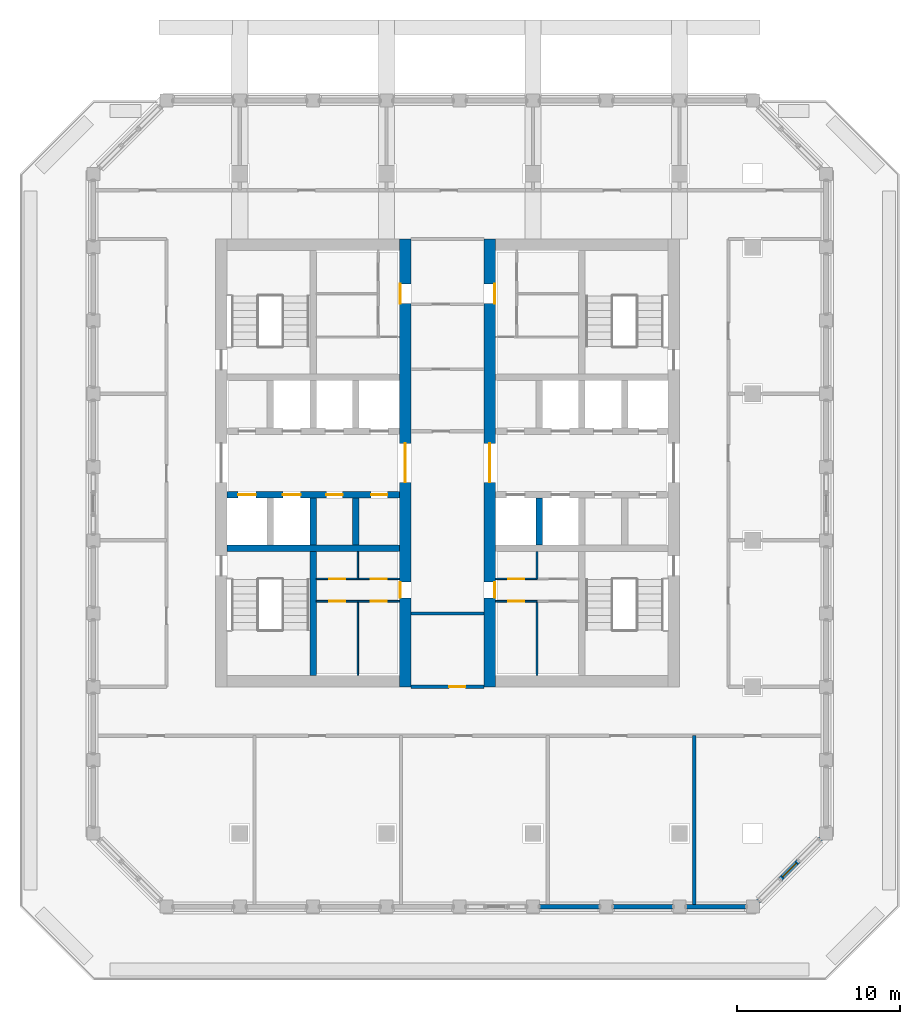
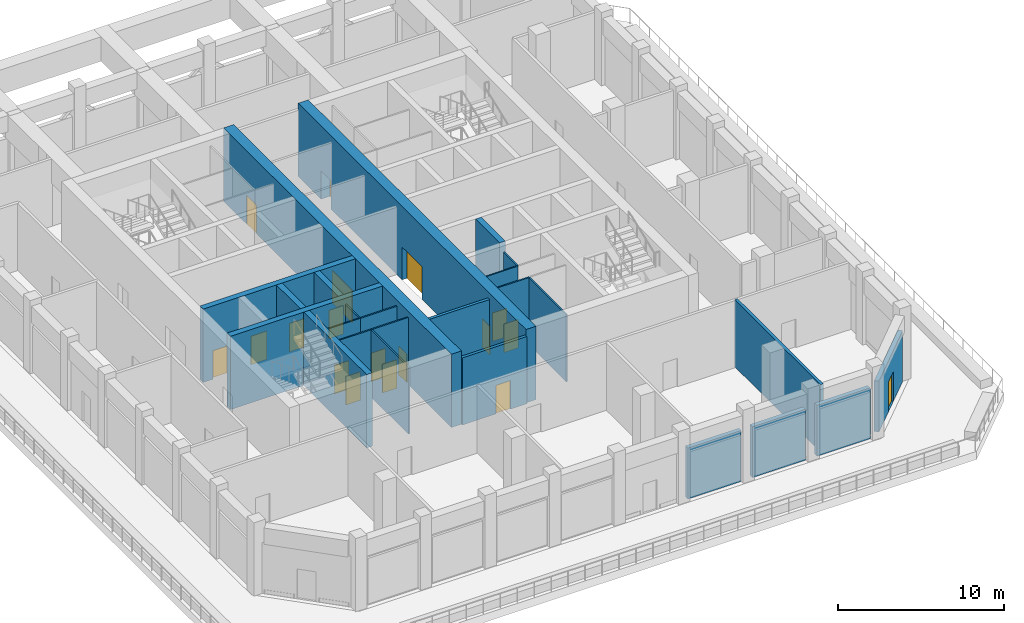
# One storey, part 4 of 19: 25 walls, 18 doors, 18 openings.
"""IFC4 building model written with IfcOpenShell, lengths in metres."""

from ifc_helpers import new_model, si_unit, direction, frame, frame_2d, origin, place, context, subcontext, project, spatial, rectangle, extrude, material, layer, layer_set, type_object, element, fill, save


model = new_model("IFC4")

# Units and contexts
model_context = context("Model", 3, precision=1e-05, world=origin(), true_north=direction((0.0, 1.0)))
body_context = subcontext(model_context, "Body", "Model", "MODEL_VIEW")
ifc_project = project(units=[si_unit("LENGTHUNIT", "METRE"), si_unit("AREAUNIT", "SQUARE_METRE"), si_unit("VOLUMEUNIT", "CUBIC_METRE"), si_unit("PLANEANGLEUNIT", "RADIAN"), si_unit("MASSUNIT", "GRAM", prefix="KILO")], contexts=[model_context])

# Site, building, storey
site_placement = place(None, origin())
site = spatial("IfcSite", under=ifc_project, at=site_placement, CompositionType="ELEMENT")
building_placement = place(site_placement, origin())
building = spatial("IfcBuilding", under=site, at=building_placement, Name="Corbel Stack Research Tower", CompositionType="ELEMENT")
storey_placement = place(building_placement, frame((0.0, 0.0, 226.199951171875)))
storey = spatial("IfcBuildingStorey", under=building, at=storey_placement, Name="L51", CompositionType="ELEMENT", Elevation=226.199951171875)

# Wall
ifc_material_1 = material(Name="Concrete C60/75", Category="concrete")
ifc_layer_1 = layer(ifc_material_1, 0.39990234375)
ifc_layer_set_1 = layer_set([ifc_layer_1], Name="Concrete C60/75")
wall_type_1 = type_object("IfcWallType", Name="CW-400-60", PredefinedType="SHEAR", material=ifc_layer_set_1)
wall_1_placement = place(storey_placement, frame((-9.800048828125, -0.5, 0.0), z_axis=(0.0, 0.0, 1.0), x_axis=(1.0, 0.0, 0.0)))
element("IfcWall", 1, at=wall_1_placement, inside=storey, type_object=wall_type_1, Name="West core wall, south row back L51", PredefinedType="SHEAR", context=body_context, shape_type="SweptSolid", body=[
    extrude(rectangle(XDim=10.60009765625, YDim=0.39990234375, at=frame_2d((5.300048828125, 0.0))), origin(), (0.0, 0.0, 1.0), 5.400146484375),
])

# Wall, openings, doors
wall_2_placement = place(storey_placement, frame((-9.800048828125, 2.800048828125, 0.0), z_axis=(0.0, 0.0, 1.0), x_axis=(1.0, 0.0, 0.0)))
wall_2 = element("IfcWall", 2, at=wall_2_placement, inside=storey, type_object=wall_type_1, Name="West core wall, lobby south L51", PredefinedType="SHEAR", context=body_context, shape_type="SweptSolid", body=[
    extrude(rectangle(XDim=10.60009765625, YDim=0.39990234375, at=frame_2d((5.300048828125, 0.0))), origin(), (0.0, 0.0, 1.0), 5.400146484375),
])
opening_1_placement = place(wall_2_placement, frame((0.6875, 0.0, 0.0)))
opening_1 = element("IfcOpeningElement", 3, at=opening_1_placement, cuts=wall_2, Name="Opening LD-FS1", PredefinedType="OPENING", context=body_context, shape_type="SweptSolid", body=[
    extrude(rectangle(XDim=1.10009765625, YDim=2.10009765625, at=frame_2d((0.550048828125, 1.050048828125))), frame((0.0, 0.2099609375, 0.0), z_axis=(0.0, -1.0, 0.0), x_axis=(1.0, 0.0, 0.0)), (0.0, 0.0, 1.0), 0.419921875),
])
opening_2_placement = place(wall_2_placement, frame((3.4375, 0.0, 0.0)))
opening_2 = element("IfcOpeningElement", 4, at=opening_2_placement, cuts=wall_2, Name="Opening LD-GL1", PredefinedType="OPENING", context=body_context, shape_type="SweptSolid", body=[
    extrude(rectangle(XDim=1.10009765625, YDim=2.10009765625, at=frame_2d((0.550048828125, 1.050048828125))), frame((0.0, 0.2099609375, 0.0), z_axis=(0.0, -1.0, 0.0), x_axis=(1.0, 0.0, 0.0)), (0.0, 0.0, 1.0), 0.419921875),
])
opening_3_placement = place(wall_2_placement, frame((6.112548828125, 0.0, 0.0)))
opening_3 = element("IfcOpeningElement", 5, at=opening_3_placement, cuts=wall_2, Name="Opening CR-W54-S3", PredefinedType="OPENING", context=body_context, shape_type="SweptSolid", body=[
    extrude(rectangle(XDim=1.0, YDim=2.10009765625, at=frame_2d((0.5, 1.050048828125))), frame((0.0, 0.2099609375, 0.0), z_axis=(0.0, -1.0, 0.0), x_axis=(1.0, 0.0, 0.0)), (0.0, 0.0, 1.0), 0.419921875),
])
opening_4_placement = place(wall_2_placement, frame((8.862548828125, 0.0, 0.0)))
opening_4 = element("IfcOpeningElement", 6, at=opening_4_placement, cuts=wall_2, Name="Opening CR-W54-S4", PredefinedType="OPENING", context=body_context, shape_type="SweptSolid", body=[
    extrude(rectangle(XDim=1.0, YDim=2.10009765625, at=frame_2d((0.5, 1.050048828125))), frame((0.0, 0.2099609375, 0.0), z_axis=(0.0, -1.0, 0.0), x_axis=(1.0, 0.0, 0.0)), (0.0, 0.0, 1.0), 0.419921875),
])
ifc_material_2 = material(Name="Stainless steel landing door", Category="steel")
door_type_1 = type_object("IfcDoorType", Name="Lift landing door 1100 x 2100", OperationType="DOUBLE_DOOR_SLIDING", PredefinedType="DOOR", material=ifc_material_2)
door_1_placement = place(opening_1_placement, origin())
door_1 = element("IfcDoor", 7, at=door_1_placement, inside=storey, type_object=door_type_1, Name="Landing door FS1", OperationType="DOUBLE_DOOR_SLIDING", OverallHeight=2.10009765625, OverallWidth=1.10009765625, PredefinedType="DOOR", context=body_context, shape_type="SweptSolid", body=[
    extrude(rectangle(XDim=1.10009765625, YDim=2.10009765625, at=frame_2d((0.550048828125, 1.050048828125))), frame((0.0, 0.02490234375, 0.0), z_axis=(0.0, -1.0, 0.0), x_axis=(1.0, 0.0, 0.0)), (0.0, 0.0, 1.0), 0.050048828125),
])
fill(opening_1, door_1)
door_2_placement = place(opening_2_placement, origin())
door_2 = element("IfcDoor", 8, at=door_2_placement, inside=storey, type_object=door_type_1, Name="Landing door GL1", OperationType="DOUBLE_DOOR_SLIDING", OverallHeight=2.10009765625, OverallWidth=1.10009765625, PredefinedType="DOOR", context=body_context, shape_type="SweptSolid", body=[
    extrude(rectangle(XDim=1.10009765625, YDim=2.10009765625, at=frame_2d((0.550048828125, 1.050048828125))), frame((0.0, 0.02490234375, 0.0), z_axis=(0.0, -1.0, 0.0), x_axis=(1.0, 0.0, 0.0)), (0.0, 0.0, 1.0), 0.050048828125),
])
fill(opening_2, door_2)
ifc_material_3 = material(Name="Painted steel door", Category="steel")
door_type_2 = type_object("IfcDoorType", Name="Service door 1000 x 2100 FD60 left hand", OperationType="SINGLE_SWING_LEFT", PredefinedType="DOOR", material=ifc_material_3)
door_3_placement = place(opening_3_placement, origin())
door_3 = element("IfcDoor", 9, at=door_3_placement, inside=storey, type_object=door_type_2, Name="Telecom plant room door W core", OperationType="SINGLE_SWING_LEFT", OverallHeight=2.10009765625, OverallWidth=1.0, PredefinedType="DOOR", context=body_context, shape_type="SweptSolid", body=[
    extrude(rectangle(XDim=1.0, YDim=2.10009765625, at=frame_2d((0.5, 1.050048828125))), frame((0.0, 0.02490234375, 0.0), z_axis=(0.0, -1.0, 0.0), x_axis=(1.0, 0.0, 0.0)), (0.0, 0.0, 1.0), 0.050048828125),
])
fill(opening_3, door_3)
ifc_material_4 = material(Name="Painted steel door", Category="steel")
door_type_3 = type_object("IfcDoorType", Name="Service door 1000 x 2100 FD60 right hand", OperationType="SINGLE_SWING_RIGHT", PredefinedType="DOOR", material=ifc_material_4)
door_4_placement = place(opening_4_placement, origin())
door_4 = element("IfcDoor", 10, at=door_4_placement, inside=storey, type_object=door_type_3, Name="Copy and supply store door W core", OperationType="SINGLE_SWING_RIGHT", OverallHeight=2.10009765625, OverallWidth=1.0, PredefinedType="DOOR", context=body_context, shape_type="SweptSolid", body=[
    extrude(rectangle(XDim=1.0, YDim=2.10009765625, at=frame_2d((0.5, 1.050048828125))), frame((0.0, 0.02490234375, 0.0), z_axis=(0.0, -1.0, 0.0), x_axis=(1.0, 0.0, 0.0)), (0.0, 0.0, 1.0), 0.050048828125),
])
fill(opening_4, door_4)

# Walls
for number, where, z_axis, x_axis, name in (
    (11, (-4.5, -0.300048828125, 0.0), (0.0, 0.0, 1.0), (0.0, 1.0, 0.0), "West core wall, south shaft 2 L51"),
    (12, (-1.875, -0.300048828125, 0.0), (0.0, 0.0, 1.0), (0.0, 1.0, 0.0), "West core wall, south shaft 3 L51"),
):
    element("IfcWall", number, at=place(storey_placement, frame(where, z_axis=z_axis, x_axis=x_axis)), inside=storey, type_object=wall_type_1, Name=name, PredefinedType="SHEAR", context=body_context, shape_type="SweptSolid", body=[
        extrude(rectangle(XDim=2.900146484375, YDim=0.39990234375, at=frame_2d((1.4501953125, 0.0))), origin(), (0.0, 0.0, 1.0), 5.400146484375),
    ])
wall_3_placement = place(storey_placement, frame((-4.5, -8.300048828125, 0.0), z_axis=(0.0, 0.0, 1.0), x_axis=(0.0, 1.0, 0.0)))
element("IfcWall", 13, at=wall_3_placement, inside=storey, type_object=wall_type_1, Name="West core wall, south stair and WC L51", PredefinedType="SHEAR", context=body_context, shape_type="SweptSolid", body=[
    extrude(rectangle(XDim=7.60009765625, YDim=0.39990234375, at=frame_2d((3.800048828125, 0.0))), origin(), (0.0, 0.0, 1.0), 5.400146484375),
])
wall_4_placement = place(storey_placement, frame((9.375, -0.300048828125, 0.0), z_axis=(0.0, 0.0, 1.0), x_axis=(0.0, 1.0, 0.0)))
element("IfcWall", 14, at=wall_4_placement, inside=storey, type_object=wall_type_1, Name="East core wall, south shaft 1 L51", PredefinedType="SHEAR", context=body_context, shape_type="SweptSolid", body=[
    extrude(rectangle(XDim=2.900146484375, YDim=0.39990234375, at=frame_2d((1.4501953125, 0.0))), origin(), (0.0, 0.0, 1.0), 5.400146484375),
])

# Wall, openings, doors
ifc_material_5 = material(Name="Concrete C60/75", Category="concrete")
ifc_layer_2 = layer(ifc_material_5, 0.699951171875)
ifc_layer_set_2 = layer_set([ifc_layer_2], Name="Concrete C60/75")
wall_type_2 = type_object("IfcWallType", Name="CW-700-60", PredefinedType="SHEAR", material=ifc_layer_set_2)
wall_5_placement = place(storey_placement, frame((1.14990234375, -9.0, 0.0), z_axis=(0.0, 0.0, 1.0), x_axis=(0.0, 1.0, 0.0)))
wall_5 = element("IfcWall", 15, at=wall_5_placement, inside=storey, type_object=wall_type_2, Name="West core wall, east face L51", PredefinedType="SHEAR", context=body_context, shape_type="SweptSolid", body=[
    extrude(rectangle(XDim=27.5, YDim=0.699951171875, at=frame_2d((13.75, 0.0))), origin(), (0.0, 0.0, 1.0), 5.400146484375),
])
opening_5_placement = place(wall_5_placement, frame((12.550048828125, 0.0, 0.0)))
opening_5 = element("IfcOpeningElement", 16, at=opening_5_placement, cuts=wall_5, Name="Opening CD-W-E", PredefinedType="OPENING", context=body_context, shape_type="SweptSolid", body=[
    extrude(rectangle(XDim=2.39990234375, YDim=2.39990234375, at=frame_2d((1.199951171875, 1.199951171875))), frame((0.0, 0.35986328125, 0.0), z_axis=(0.0, -1.0, 0.0), x_axis=(1.0, 0.0, 0.0)), (0.0, 0.0, 1.0), 0.719970703125),
])
opening_6_placement = place(wall_5_placement, frame((5.4599609375, 0.0, 0.0)))
opening_6 = element("IfcOpeningElement", 17, at=opening_6_placement, cuts=wall_5, Name="Opening CR-W54-W1-968", PredefinedType="OPENING", context=body_context, shape_type="SweptSolid", body=[
    extrude(rectangle(XDim=0.968017578125, YDim=2.10009765625, at=frame_2d((0.48388671875, 1.050048828125))), frame((0.0, 0.35986328125, 0.0), z_axis=(0.0, -1.0, 0.0), x_axis=(1.0, 0.0, 0.0)), (0.0, 0.0, 1.0), 0.719970703125),
])
opening_7_placement = place(wall_5_placement, frame((23.5400390625, 0.0, 0.0)))
opening_7 = element("IfcOpeningElement", 18, at=opening_7_placement, cuts=wall_5, Name="Opening CR-W54-R2-1200", PredefinedType="OPENING", context=body_context, shape_type="SweptSolid", body=[
    extrude(rectangle(XDim=1.199951171875, YDim=2.10009765625, at=frame_2d((0.60009765625, 1.050048828125))), frame((0.0, 0.35986328125, 0.0), z_axis=(0.0, -1.0, 0.0), x_axis=(1.0, 0.0, 0.0)), (0.0, 0.0, 1.0), 0.719970703125),
])
ifc_material_6 = material(Name="Painted steel fire door", Category="steel")
door_type_4 = type_object("IfcDoorType", Name="Lobby door pair 2400 x 2400 FD30S", OperationType="DOUBLE_DOOR_DOUBLE_SWING", PredefinedType="DOOR", material=ifc_material_6)
door_5_placement = place(opening_5_placement, origin())
door_5 = element("IfcDoor", 19, at=door_5_placement, inside=storey, type_object=door_type_4, Name="Lift lobby door W core E", OperationType="DOUBLE_DOOR_DOUBLE_SWING", OverallHeight=2.39990234375, OverallWidth=2.39990234375, PredefinedType="DOOR", context=body_context, shape_type="SweptSolid", body=[
    extrude(rectangle(XDim=2.39990234375, YDim=2.39990234375, at=frame_2d((1.199951171875, 1.199951171875))), frame((0.0, 0.02490234375, 0.0), z_axis=(0.0, -1.0, 0.0), x_axis=(1.0, 0.0, 0.0)), (0.0, 0.0, 1.0), 0.050048828125),
])
fill(opening_5, door_5)
ifc_material_7 = material(Name="Painted steel door", Category="steel")
door_type_5 = type_object("IfcDoorType", Name="Service door 1200 x 2100 FD30 right hand", OperationType="SINGLE_SWING_RIGHT", PredefinedType="DOOR", material=ifc_material_7)
door_6_placement = place(opening_7_placement, origin())
door_6 = element("IfcDoor", 20, at=door_6_placement, inside=storey, type_object=door_type_5, Name="Plant passage door W core", OperationType="SINGLE_SWING_RIGHT", OverallHeight=2.10009765625, OverallWidth=1.199951171875, PredefinedType="DOOR", context=body_context, shape_type="SweptSolid", body=[
    extrude(rectangle(XDim=1.199951171875, YDim=2.10009765625, at=frame_2d((0.60009765625, 1.050048828125))), frame((0.0, 0.3251953125, 0.0), z_axis=(0.0, -1.0, 0.0), x_axis=(1.0, 0.0, 0.0)), (0.0, 0.0, 1.0), 0.050048828125),
])
fill(opening_7, door_6)
ifc_material_8 = material(Name="Painted timber door", Category="wood")
door_type_6 = type_object("IfcDoorType", Name="WC door 968 x 2100 left hand", OperationType="SINGLE_SWING_LEFT", PredefinedType="DOOR", material=ifc_material_8)
door_7_placement = place(opening_6_placement, origin())
door_7 = element("IfcDoor", 21, at=door_7_placement, inside=storey, type_object=door_type_6, Name="WC lobby door W core", OperationType="SINGLE_SWING_LEFT", OverallHeight=2.10009765625, OverallWidth=0.968017578125, PredefinedType="DOOR", context=body_context, shape_type="SweptSolid", body=[
    extrude(rectangle(XDim=0.968017578125, YDim=2.10009765625, at=frame_2d((0.48388671875, 1.050048828125))), frame((0.0, 0.3251953125, 0.0), z_axis=(0.0, -1.0, 0.0), x_axis=(1.0, 0.0, 0.0)), (0.0, 0.0, 1.0), 0.050048828125),
])
fill(opening_6, door_7)

wall_6_placement = place(storey_placement, frame((6.35009765625, -9.0, 0.0), z_axis=(0.0, 0.0, 1.0), x_axis=(0.0, 1.0, 0.0)))
wall_6 = element("IfcWall", 22, at=wall_6_placement, inside=storey, type_object=wall_type_2, Name="East core wall, west face L51", PredefinedType="SHEAR", context=body_context, shape_type="SweptSolid", body=[
    extrude(rectangle(XDim=27.5, YDim=0.699951171875, at=frame_2d((13.75, 0.0))), origin(), (0.0, 0.0, 1.0), 5.400146484375),
])
opening_8_placement = place(wall_6_placement, frame((12.550048828125, 0.0, 0.0)))
opening_8 = element("IfcOpeningElement", 23, at=opening_8_placement, cuts=wall_6, Name="Opening CD-E-W", PredefinedType="OPENING", context=body_context, shape_type="SweptSolid", body=[
    extrude(rectangle(XDim=2.39990234375, YDim=2.39990234375, at=frame_2d((1.199951171875, 1.199951171875))), frame((0.0, 0.35986328125, 0.0), z_axis=(0.0, -1.0, 0.0), x_axis=(1.0, 0.0, 0.0)), (0.0, 0.0, 1.0), 0.719970703125),
])
opening_9_placement = place(wall_6_placement, frame((5.4599609375, 0.0, 0.0)))
opening_9 = element("IfcOpeningElement", 24, at=opening_9_placement, cuts=wall_6, Name="Opening CR-E54-W1-968", PredefinedType="OPENING", context=body_context, shape_type="SweptSolid", body=[
    extrude(rectangle(XDim=0.968017578125, YDim=2.10009765625, at=frame_2d((0.48388671875, 1.050048828125))), frame((0.0, 0.35986328125, 0.0), z_axis=(0.0, -1.0, 0.0), x_axis=(1.0, 0.0, 0.0)), (0.0, 0.0, 1.0), 0.719970703125),
])
opening_10_placement = place(wall_6_placement, frame((23.5400390625, 0.0, 0.0)))
opening_10 = element("IfcOpeningElement", 25, at=opening_10_placement, cuts=wall_6, Name="Opening CR-E54-R2-1200", PredefinedType="OPENING", context=body_context, shape_type="SweptSolid", body=[
    extrude(rectangle(XDim=1.199951171875, YDim=2.10009765625, at=frame_2d((0.60009765625, 1.050048828125))), frame((0.0, 0.35986328125, 0.0), z_axis=(0.0, -1.0, 0.0), x_axis=(1.0, 0.0, 0.0)), (0.0, 0.0, 1.0), 0.719970703125),
])
door_8_placement = place(opening_8_placement, origin())
door_8 = element("IfcDoor", 26, at=door_8_placement, inside=storey, type_object=door_type_4, Name="Lift lobby door E core W", OperationType="DOUBLE_DOOR_DOUBLE_SWING", OverallHeight=2.39990234375, OverallWidth=2.39990234375, PredefinedType="DOOR", context=body_context, shape_type="SweptSolid", body=[
    extrude(rectangle(XDim=2.39990234375, YDim=2.39990234375, at=frame_2d((1.199951171875, 1.199951171875))), frame((0.0, 0.02490234375, 0.0), z_axis=(0.0, -1.0, 0.0), x_axis=(1.0, 0.0, 0.0)), (0.0, 0.0, 1.0), 0.050048828125),
])
fill(opening_8, door_8)
ifc_material_9 = material(Name="Painted steel door", Category="steel")
door_type_7 = type_object("IfcDoorType", Name="Service door 1200 x 2100 FD30 left hand", OperationType="SINGLE_SWING_LEFT", PredefinedType="DOOR", material=ifc_material_9)
door_9_placement = place(opening_10_placement, origin())
door_9 = element("IfcDoor", 27, at=door_9_placement, inside=storey, type_object=door_type_7, Name="Plant passage door E core", OperationType="SINGLE_SWING_LEFT", OverallHeight=2.10009765625, OverallWidth=1.199951171875, PredefinedType="DOOR", context=body_context, shape_type="SweptSolid", body=[
    extrude(rectangle(XDim=1.199951171875, YDim=2.10009765625, at=frame_2d((0.60009765625, 1.050048828125))), frame((0.0, -0.27490234375, 0.0), z_axis=(0.0, -1.0, 0.0), x_axis=(1.0, 0.0, 0.0)), (0.0, 0.0, 1.0), 0.050048828125),
])
fill(opening_10, door_9)
ifc_material_10 = material(Name="Painted timber door", Category="wood")
door_type_8 = type_object("IfcDoorType", Name="WC door 968 x 2100 right hand", OperationType="SINGLE_SWING_RIGHT", PredefinedType="DOOR", material=ifc_material_10)
door_10_placement = place(opening_9_placement, origin())
door_10 = element("IfcDoor", 28, at=door_10_placement, inside=storey, type_object=door_type_8, Name="WC lobby door E core", OperationType="SINGLE_SWING_RIGHT", OverallHeight=2.10009765625, OverallWidth=0.968017578125, PredefinedType="DOOR", context=body_context, shape_type="SweptSolid", body=[
    extrude(rectangle(XDim=0.968017578125, YDim=2.10009765625, at=frame_2d((0.48388671875, 1.050048828125))), frame((0.0, -0.27490234375, 0.0), z_axis=(0.0, -1.0, 0.0), x_axis=(1.0, 0.0, 0.0)), (0.0, 0.0, 1.0), 0.050048828125),
])
fill(opening_9, door_10)

# Wall, opening, door
ifc_material_11 = material(Name="Gypsum board")
ifc_layer_3 = layer(ifc_material_11, 0.10009765625)
ifc_layer_set_3 = layer_set([ifc_layer_3], Name="Gypsum board")
wall_type_3 = type_object("IfcWallType", Name="Core partition 100", PredefinedType="PARTITIONING", material=ifc_layer_set_3)
wall_7_placement = place(storey_placement, frame((-1.75, -3.739990234375, 0.0), z_axis=(0.0, 0.0, 1.0), x_axis=(1.0, 0.0, 0.0)))
wall_7 = element("IfcWall", 29, at=wall_7_placement, inside=storey, type_object=wall_type_3, Name="Core partition W", PredefinedType="PARTITIONING", context=body_context, shape_type="SweptSolid", body=[
    extrude(rectangle(XDim=2.550048828125, YDim=0.10009765625, at=frame_2d((1.27490234375, 0.0))), origin(), (0.0, 0.0, 1.0), 4.949951171875),
])
opening_11_placement = place(wall_7_placement, frame((0.77490234375, 0.0, 0.0)))
opening_11 = element("IfcOpeningElement", 30, at=opening_11_placement, cuts=wall_7, Name="Opening CR-W54-W2-1000", PredefinedType="OPENING", context=body_context, shape_type="SweptSolid", body=[
    extrude(rectangle(XDim=1.0, YDim=2.10009765625, at=frame_2d((0.5, 1.050048828125))), frame((0.0, 0.06005859375, 0.0), z_axis=(0.0, -1.0, 0.0), x_axis=(1.0, 0.0, 0.0)), (0.0, 0.0, 1.0), 0.1201171875),
])
ifc_material_12 = material(Name="Painted timber door", Category="wood")
door_type_9 = type_object("IfcDoorType", Name="WC door 1000 x 2100 right hand", OperationType="SINGLE_SWING_RIGHT", PredefinedType="DOOR", material=ifc_material_12)
door_11_placement = place(opening_11_placement, origin())
door_11 = element("IfcDoor", 31, at=door_11_placement, inside=storey, type_object=door_type_9, Name="Women's WC door W core", OperationType="SINGLE_SWING_RIGHT", OverallHeight=2.10009765625, OverallWidth=1.0, PredefinedType="DOOR", context=body_context, shape_type="SweptSolid", body=[
    extrude(rectangle(XDim=1.0, YDim=2.10009765625, at=frame_2d((0.5, 1.050048828125))), frame((0.0, 0.02490234375, 0.0), z_axis=(0.0, -1.0, 0.0), x_axis=(1.0, 0.0, 0.0)), (0.0, 0.0, 1.0), 0.050048828125),
])
fill(opening_11, door_11)

wall_8_placement = place(storey_placement, frame((-4.300048828125, -3.739990234375, 0.0), z_axis=(0.0, 0.0, 1.0), x_axis=(1.0, 0.0, 0.0)))
wall_8 = element("IfcWall", 32, at=wall_8_placement, inside=storey, type_object=wall_type_3, Name="Core partition W", PredefinedType="PARTITIONING", context=body_context, shape_type="SweptSolid", body=[
    extrude(rectangle(XDim=2.550048828125, YDim=0.10009765625, at=frame_2d((1.27490234375, 0.0))), origin(), (0.0, 0.0, 1.0), 4.949951171875),
])
opening_12_placement = place(wall_8_placement, frame((0.77490234375, 0.0, 0.0)))
opening_12 = element("IfcOpeningElement", 33, at=opening_12_placement, cuts=wall_8, Name="Opening CR-W54-W3-1000", PredefinedType="OPENING", context=body_context, shape_type="SweptSolid", body=[
    extrude(rectangle(XDim=1.0, YDim=2.10009765625, at=frame_2d((0.5, 1.050048828125))), frame((0.0, 0.06005859375, 0.0), z_axis=(0.0, -1.0, 0.0), x_axis=(1.0, 0.0, 0.0)), (0.0, 0.0, 1.0), 0.1201171875),
])
ifc_material_13 = material(Name="Painted timber door", Category="wood")
door_type_10 = type_object("IfcDoorType", Name="WC door 1000 x 2100 left hand", OperationType="SINGLE_SWING_LEFT", PredefinedType="DOOR", material=ifc_material_13)
door_12_placement = place(opening_12_placement, origin())
door_12 = element("IfcDoor", 34, at=door_12_placement, inside=storey, type_object=door_type_10, Name="Men's WC door W core", OperationType="SINGLE_SWING_LEFT", OverallHeight=2.10009765625, OverallWidth=1.0, PredefinedType="DOOR", context=body_context, shape_type="SweptSolid", body=[
    extrude(rectangle(XDim=1.0, YDim=2.10009765625, at=frame_2d((0.5, 1.050048828125))), frame((0.0, 0.02490234375, 0.0), z_axis=(0.0, -1.0, 0.0), x_axis=(1.0, 0.0, 0.0)), (0.0, 0.0, 1.0), 0.050048828125),
])
fill(opening_12, door_12)

wall_9_placement = place(storey_placement, frame((-1.75, -2.3720703125, 0.0), z_axis=(0.0, 0.0, 1.0), x_axis=(1.0, 0.0, 0.0)))
wall_9 = element("IfcWall", 35, at=wall_9_placement, inside=storey, type_object=wall_type_3, Name="Core partition W", PredefinedType="PARTITIONING", context=body_context, shape_type="SweptSolid", body=[
    extrude(rectangle(XDim=2.550048828125, YDim=0.10009765625, at=frame_2d((1.27490234375, 0.0))), origin(), (0.0, 0.0, 1.0), 4.949951171875),
])
opening_13_placement = place(wall_9_placement, frame((0.77490234375, 0.0, 0.0)))
opening_13 = element("IfcOpeningElement", 36, at=opening_13_placement, cuts=wall_9, Name="Opening CR-W54-W4-1000", PredefinedType="OPENING", context=body_context, shape_type="SweptSolid", body=[
    extrude(rectangle(XDim=1.0, YDim=2.10009765625, at=frame_2d((0.5, 1.050048828125))), frame((0.0, 0.06005859375, 0.0), z_axis=(0.0, -1.0, 0.0), x_axis=(1.0, 0.0, 0.0)), (0.0, 0.0, 1.0), 0.1201171875),
])
door_13_placement = place(opening_13_placement, origin())
door_13 = element("IfcDoor", 37, at=door_13_placement, inside=storey, type_object=door_type_9, Name="Accessible WC door W core", OperationType="SINGLE_SWING_RIGHT", OverallHeight=2.10009765625, OverallWidth=1.0, PredefinedType="DOOR", context=body_context, shape_type="SweptSolid", body=[
    extrude(rectangle(XDim=1.0, YDim=2.10009765625, at=frame_2d((0.5, 1.050048828125))), frame((0.0, 0.02490234375, 0.0), z_axis=(0.0, -1.0, 0.0), x_axis=(1.0, 0.0, 0.0)), (0.0, 0.0, 1.0), 0.050048828125),
])
fill(opening_13, door_13)

wall_10_placement = place(storey_placement, frame((-4.300048828125, -2.3720703125, 0.0), z_axis=(0.0, 0.0, 1.0), x_axis=(1.0, 0.0, 0.0)))
wall_10 = element("IfcWall", 38, at=wall_10_placement, inside=storey, type_object=wall_type_3, Name="Core partition W", PredefinedType="PARTITIONING", context=body_context, shape_type="SweptSolid", body=[
    extrude(rectangle(XDim=2.550048828125, YDim=0.10009765625, at=frame_2d((1.27490234375, 0.0))), origin(), (0.0, 0.0, 1.0), 4.949951171875),
])
opening_14_placement = place(wall_10_placement, frame((0.77490234375, 0.0, 0.0)))
opening_14 = element("IfcOpeningElement", 39, at=opening_14_placement, cuts=wall_10, Name="Opening CR-W54-W5-1000", PredefinedType="OPENING", context=body_context, shape_type="SweptSolid", body=[
    extrude(rectangle(XDim=1.0, YDim=2.10009765625, at=frame_2d((0.5, 1.050048828125))), frame((0.0, 0.06005859375, 0.0), z_axis=(0.0, -1.0, 0.0), x_axis=(1.0, 0.0, 0.0)), (0.0, 0.0, 1.0), 0.1201171875),
])
door_14_placement = place(opening_14_placement, origin())
door_14 = element("IfcDoor", 40, at=door_14_placement, inside=storey, type_object=door_type_10, Name="Shower and changing room door W core", OperationType="SINGLE_SWING_LEFT", OverallHeight=2.10009765625, OverallWidth=1.0, PredefinedType="DOOR", context=body_context, shape_type="SweptSolid", body=[
    extrude(rectangle(XDim=1.0, YDim=2.10009765625, at=frame_2d((0.5, 1.050048828125))), frame((0.0, 0.02490234375, 0.0), z_axis=(0.0, -1.0, 0.0), x_axis=(1.0, 0.0, 0.0)), (0.0, 0.0, 1.0), 0.050048828125),
])
fill(opening_14, door_14)

# Walls
wall_11_placement = place(storey_placement, frame((-1.75, -8.300048828125, 0.0), z_axis=(0.0, 0.0, 1.0), x_axis=(0.0, 1.0, 0.0)))
element("IfcWall", 41, at=wall_11_placement, inside=storey, type_object=wall_type_3, Name="Core partition W", PredefinedType="PARTITIONING", context=body_context, shape_type="SweptSolid", body=[
    extrude(rectangle(XDim=4.56005859375, YDim=0.10009765625, at=frame_2d((2.280029296875, 0.0))), origin(), (0.0, 0.0, 1.0), 4.949951171875),
])
wall_12_placement = place(storey_placement, frame((-1.75, -2.3720703125, 0.0), z_axis=(0.0, 0.0, 1.0), x_axis=(0.0, 1.0, 0.0)))
element("IfcWall", 42, at=wall_12_placement, inside=storey, type_object=wall_type_3, Name="Core partition W", PredefinedType="PARTITIONING", context=body_context, shape_type="SweptSolid", body=[
    extrude(rectangle(XDim=1.672119140625, YDim=0.10009765625, at=frame_2d((0.8359375, 0.0))), origin(), (0.0, 0.0, 1.0), 4.949951171875),
])

# Wall, opening, door
wall_13_placement = place(storey_placement, frame((6.699951171875, -3.739990234375, 0.0), z_axis=(0.0, 0.0, 1.0), x_axis=(1.0, 0.0, 0.0)))
wall_13 = element("IfcWall", 43, at=wall_13_placement, inside=storey, type_object=wall_type_3, Name="Core partition E", PredefinedType="PARTITIONING", context=body_context, shape_type="SweptSolid", body=[
    extrude(rectangle(XDim=2.550048828125, YDim=0.10009765625, at=frame_2d((1.27490234375, 0.0))), origin(), (0.0, 0.0, 1.0), 4.949951171875),
])
opening_15_placement = place(wall_13_placement, frame((0.77490234375, 0.0, 0.0)))
opening_15 = element("IfcOpeningElement", 44, at=opening_15_placement, cuts=wall_13, Name="Opening CR-E54-W2-1000", PredefinedType="OPENING", context=body_context, shape_type="SweptSolid", body=[
    extrude(rectangle(XDim=1.0, YDim=2.10009765625, at=frame_2d((0.5, 1.050048828125))), frame((0.0, 0.06005859375, 0.0), z_axis=(0.0, -1.0, 0.0), x_axis=(1.0, 0.0, 0.0)), (0.0, 0.0, 1.0), 0.1201171875),
])
door_15_placement = place(opening_15_placement, origin())
door_15 = element("IfcDoor", 45, at=door_15_placement, inside=storey, type_object=door_type_10, Name="Women's WC door E core", OperationType="SINGLE_SWING_LEFT", OverallHeight=2.10009765625, OverallWidth=1.0, PredefinedType="DOOR", context=body_context, shape_type="SweptSolid", body=[
    extrude(rectangle(XDim=1.0, YDim=2.10009765625, at=frame_2d((0.5, 1.050048828125))), frame((0.0, 0.02490234375, 0.0), z_axis=(0.0, -1.0, 0.0), x_axis=(1.0, 0.0, 0.0)), (0.0, 0.0, 1.0), 0.050048828125),
])
fill(opening_15, door_15)

wall_14_placement = place(storey_placement, frame((6.699951171875, -2.3720703125, 0.0), z_axis=(0.0, 0.0, 1.0), x_axis=(1.0, 0.0, 0.0)))
wall_14 = element("IfcWall", 46, at=wall_14_placement, inside=storey, type_object=wall_type_3, Name="Core partition E", PredefinedType="PARTITIONING", context=body_context, shape_type="SweptSolid", body=[
    extrude(rectangle(XDim=2.550048828125, YDim=0.10009765625, at=frame_2d((1.27490234375, 0.0))), origin(), (0.0, 0.0, 1.0), 4.949951171875),
])
opening_16_placement = place(wall_14_placement, frame((0.77490234375, 0.0, 0.0)))
opening_16 = element("IfcOpeningElement", 47, at=opening_16_placement, cuts=wall_14, Name="Opening CR-E54-W4-1000", PredefinedType="OPENING", context=body_context, shape_type="SweptSolid", body=[
    extrude(rectangle(XDim=1.0, YDim=2.10009765625, at=frame_2d((0.5, 1.050048828125))), frame((0.0, 0.06005859375, 0.0), z_axis=(0.0, -1.0, 0.0), x_axis=(1.0, 0.0, 0.0)), (0.0, 0.0, 1.0), 0.1201171875),
])
door_16_placement = place(opening_16_placement, origin())
door_16 = element("IfcDoor", 48, at=door_16_placement, inside=storey, type_object=door_type_10, Name="Accessible WC door E core", OperationType="SINGLE_SWING_LEFT", OverallHeight=2.10009765625, OverallWidth=1.0, PredefinedType="DOOR", context=body_context, shape_type="SweptSolid", body=[
    extrude(rectangle(XDim=1.0, YDim=2.10009765625, at=frame_2d((0.5, 1.050048828125))), frame((0.0, 0.02490234375, 0.0), z_axis=(0.0, -1.0, 0.0), x_axis=(1.0, 0.0, 0.0)), (0.0, 0.0, 1.0), 0.050048828125),
])
fill(opening_16, door_16)

# Walls
wall_15_placement = place(storey_placement, frame((9.25, -8.300048828125, 0.0), z_axis=(0.0, 0.0, 1.0), x_axis=(0.0, 1.0, 0.0)))
element("IfcWall", 49, at=wall_15_placement, inside=storey, type_object=wall_type_3, Name="Core partition E", PredefinedType="PARTITIONING", context=body_context, shape_type="SweptSolid", body=[
    extrude(rectangle(XDim=4.56005859375, YDim=0.10009765625, at=frame_2d((2.280029296875, 0.0))), origin(), (0.0, 0.0, 1.0), 4.949951171875),
])
wall_16_placement = place(storey_placement, frame((9.25, -2.3720703125, 0.0), z_axis=(0.0, 0.0, 1.0), x_axis=(0.0, 1.0, 0.0)))
element("IfcWall", 50, at=wall_16_placement, inside=storey, type_object=wall_type_3, Name="Core partition E", PredefinedType="PARTITIONING", context=body_context, shape_type="SweptSolid", body=[
    extrude(rectangle(XDim=1.672119140625, YDim=0.10009765625, at=frame_2d((0.8359375, 0.0))), origin(), (0.0, 0.0, 1.0), 4.949951171875),
])
ifc_material_14 = material(Name="Fire-rated gypsum board partition on steel studs", Category="steel")
ifc_layer_4 = layer(ifc_material_14, 0.199951171875)
ifc_layer_set_4 = layer_set([ifc_layer_4], Name="Fire-rated gypsum board partition on steel studs")
wall_type_4 = type_object("IfcWallType", Name="Fire-rated partition 200 EI 60", PredefinedType="PARTITIONING", material=ifc_layer_set_4)
wall_17_placement = place(storey_placement, frame((18.89990234375, -22.35009765625, 0.0), z_axis=(0.0, 0.0, 1.0), x_axis=(0.0, 1.0, 0.0)))
element("IfcWall", 51, at=wall_17_placement, inside=storey, type_object=wall_type_4, Name="Partition L51-013", PredefinedType="PARTITIONING", context=body_context, shape_type="SweptSolid", body=[
    extrude(rectangle(XDim=10.35009765625, YDim=0.199951171875, at=frame_2d((5.175048828125, 0.0))), origin(), (0.0, 0.0, 1.0), 4.949951171875),
])

# Wall, opening, door
wall_18_placement = place(storey_placement, frame((1.5, -9.0, 0.0), z_axis=(0.0, 0.0, 1.0), x_axis=(1.0, 0.0, 0.0)))
wall_18 = element("IfcWall", 52, at=wall_18_placement, inside=storey, type_object=wall_type_4, Name="Partition L51-017", PredefinedType="PARTITIONING", context=body_context, shape_type="SweptSolid", body=[
    extrude(rectangle(XDim=4.5, YDim=0.199951171875, at=frame_2d((2.25, 0.0))), origin(), (0.0, 0.0, 1.0), 4.949951171875),
])
opening_17_placement = place(wall_18_placement, frame((2.35009765625, 0.0, 0.0)))
opening_17 = element("IfcOpeningElement", 53, at=opening_17_placement, cuts=wall_18, Name="Opening PLANTL51-009", PredefinedType="OPENING", context=body_context, shape_type="SweptSolid", body=[
    extrude(rectangle(XDim=1.0, YDim=2.10009765625, at=frame_2d((0.5, 1.050048828125))), frame((0.0, 0.10986328125, 0.0), z_axis=(0.0, -1.0, 0.0), x_axis=(1.0, 0.0, 0.0)), (0.0, 0.0, 1.0), 0.219970703125),
])
ifc_material_15 = material(Name="Painted steel fire door", Category="steel")
door_type_11 = type_object("IfcDoorType", Name="Fire door FD30S 1000 x 2100", OperationType="NOTDEFINED", PredefinedType="DOOR", material=ifc_material_15)
door_17_placement = place(opening_17_placement, origin())
door_17 = element("IfcDoor", 54, at=door_17_placement, inside=storey, type_object=door_type_11, Name="Door PLANTL51-009", OperationType="SINGLE_SWING_RIGHT", OverallHeight=2.10009765625, OverallWidth=1.0, PredefinedType="DOOR", context=body_context, shape_type="SweptSolid", body=[
    extrude(rectangle(XDim=1.0, YDim=2.10009765625, at=frame_2d((0.5, 1.050048828125))), frame((0.0, 0.02490234375, 0.0), z_axis=(0.0, -1.0, 0.0), x_axis=(1.0, 0.0, 0.0)), (0.0, 0.0, 1.0), 0.050048828125),
])
fill(opening_17, door_17)

# Walls
wall_19_placement = place(storey_placement, frame((1.5, -4.5, 0.0), z_axis=(0.0, 0.0, 1.0), x_axis=(1.0, 0.0, 0.0)))
element("IfcWall", 55, at=wall_19_placement, inside=storey, type_object=wall_type_4, Name="Partition L51-020", PredefinedType="PARTITIONING", context=body_context, shape_type="SweptSolid", body=[
    extrude(rectangle(XDim=4.5, YDim=0.199951171875, at=frame_2d((2.25, 0.0))), origin(), (0.0, 0.0, 1.0), 4.949951171875),
])
ifc_material_16 = material(Name="Concrete C45/55", Category="concrete")
ifc_layer_5 = layer(ifc_material_16, 0.300048828125)
ifc_layer_set_5 = layer_set([ifc_layer_5], Name="Concrete C45/55")
wall_type_5 = type_object("IfcWallType", Name="Terracotta-faced concrete wall 300", PredefinedType="SOLIDWALL", material=ifc_layer_set_5)
for number, where, z_axis, x_axis, name in (
    (56, (13.10009765625, -22.5, 0.0), (0.0, 0.0, 1.0), (-1.0, 0.0, 0.0), "Facade wall L51 S06"),
    (57, (17.60009765625, -22.5, 0.0), (0.0, 0.0, 1.0), (-1.0, 0.0, 0.0), "Facade wall L51 S07"),
    (58, (22.10009765625, -22.5, 0.0), (0.0, 0.0, 1.0), (-1.0, 0.0, 0.0), "Facade wall L51 S08"),
):
    element("IfcWall", number, at=place(storey_placement, frame(where, z_axis=z_axis, x_axis=x_axis)), inside=storey, type_object=wall_type_5, Name=name, PredefinedType="SOLIDWALL", context=body_context, shape_type="SweptSolid", body=[
        extrude(rectangle(XDim=3.7001953125, YDim=0.300048828125, at=frame_2d((1.85009765625, 0.0))), origin(), (0.0, 0.0, 1.0), 3.75),
    ])

# Wall, opening, door
wall_20_placement = place(storey_placement, frame((26.7060546875, -18.2939453125, 0.0), z_axis=(0.0, 0.0, 1.0), x_axis=(-0.707106781187, -0.707106781187, 0.0)))
wall_20 = element("IfcWall", 59, at=wall_20_placement, inside=storey, type_object=wall_type_5, Name="Facade wall L51 SE01", PredefinedType="SOLIDWALL", context=body_context, shape_type="SweptSolid", body=[
    extrude(rectangle(XDim=5.532470703125, YDim=0.300048828125, at=frame_2d((2.76611328125, 0.0))), origin(), (0.0, 0.0, 1.0), 3.75),
])
opening_18_placement = place(wall_20_placement, frame((2.166259765625, 0.0, 0.0)))
opening_18 = element("IfcOpeningElement", 60, at=opening_18_placement, cuts=wall_20, Name="Opening L51-B02", PredefinedType="OPENING", context=body_context, shape_type="SweptSolid", body=[
    extrude(rectangle(XDim=1.199951171875, YDim=2.199951171875, at=frame_2d((0.60009765625, 1.10009765625))), frame((0.0, 0.159912109375, 0.0), z_axis=(0.0, -1.0, 0.0), x_axis=(1.0, 0.0, 0.0)), (0.0, 0.0, 1.0), 0.320068359375),
])
ifc_material_17 = material(Name="Aluminium frame, clear double glazing", Category="aluminium")
door_type_12 = type_object("IfcDoorType", Name="Balcony door BD2 1200 x 2200", OperationType="NOTDEFINED", PredefinedType="DOOR", material=ifc_material_17)
door_18_placement = place(opening_18_placement, origin())
door_18 = element("IfcDoor", 61, at=door_18_placement, inside=storey, type_object=door_type_12, Name="Balcony door L51-B02", OperationType="SINGLE_SWING_RIGHT", OverallHeight=2.199951171875, OverallWidth=1.199951171875, PredefinedType="DOOR", context=body_context, shape_type="SweptSolid", body=[
    extrude(rectangle(XDim=1.199951171875, YDim=2.199951171875, at=frame_2d((0.60009765625, 1.10009765625))), frame((0.0, 0.02490234375, 0.0), z_axis=(0.0, -1.0, 0.0), x_axis=(1.0, 0.0, 0.0)), (0.0, 0.0, 1.0), 0.050048828125),
])
fill(opening_18, door_18)

save(model, "model.ifc")
